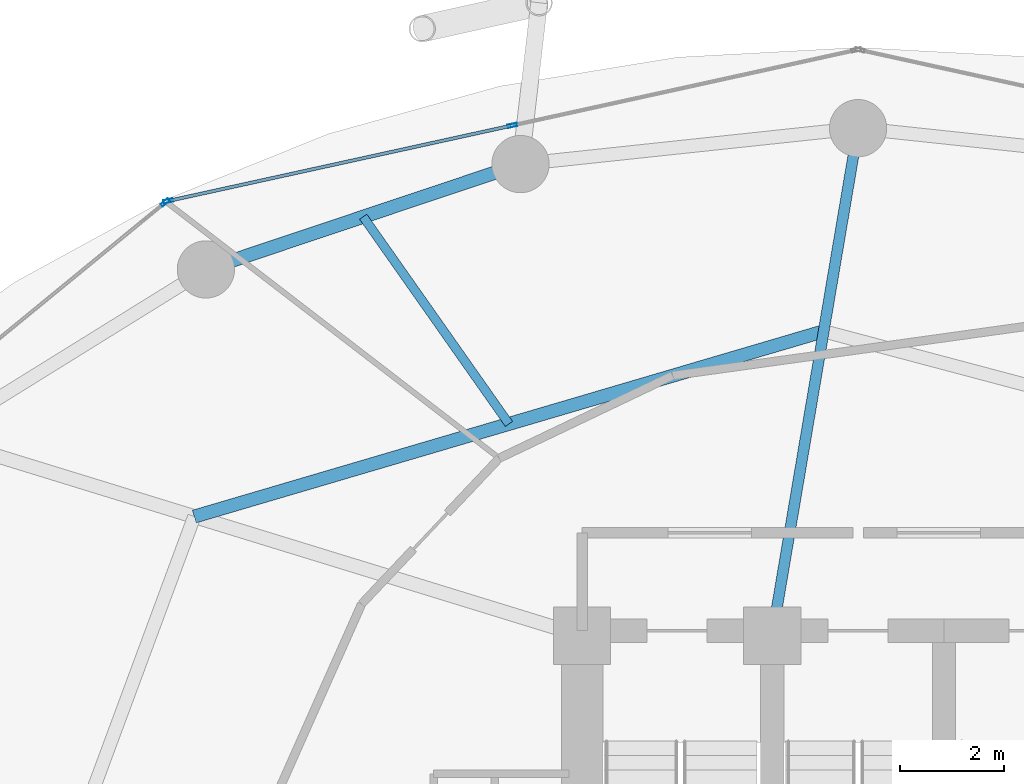
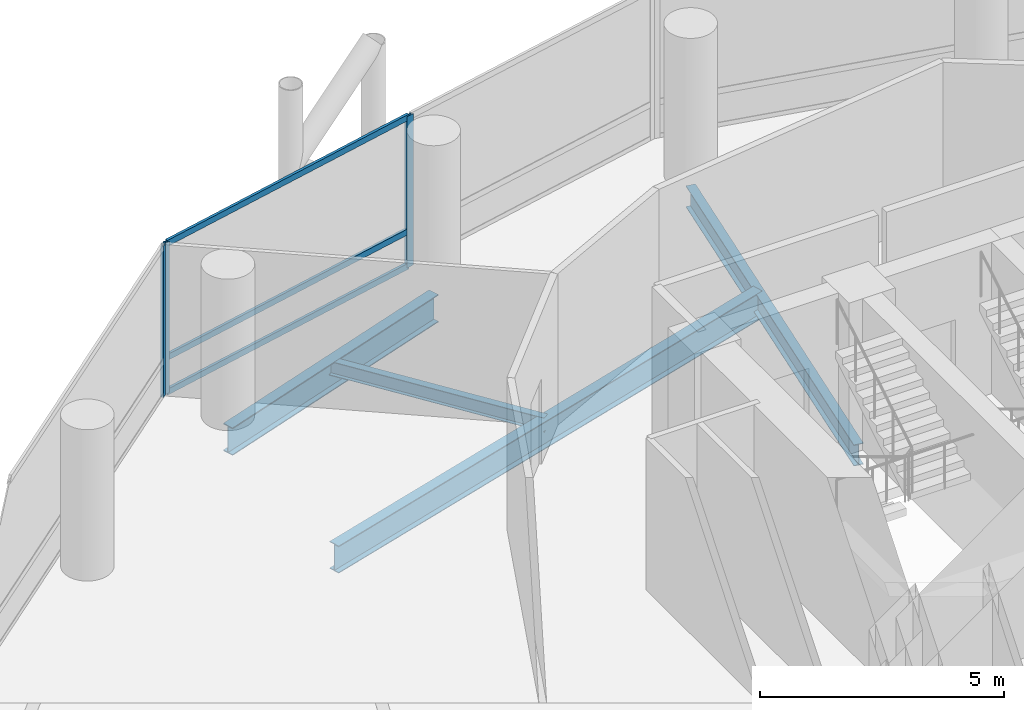
# One storey, part 15 of 24: 6 members, 4 beams, 2 elements without a shape of their own.
"""IFC4 building model written with IfcOpenShell, lengths in metres."""

from ifc_helpers import new_model, si_unit, direction, frame, origin, origin_2d, place, context, subcontext, project, spatial, hollow_rectangle, i_section, extrude, material, layer, layer_set, material_profile, profile_set, type_object, element, aggregate, save


model = new_model("IFC4")

# Units and contexts
model_context = context("Model", 3, precision=1e-05, world=origin(), true_north=direction((0.0, 1.0)))
body_context = subcontext(model_context, "Body", "Model", "MODEL_VIEW")
ifc_project = project(units=[si_unit("LENGTHUNIT", "METRE"), si_unit("AREAUNIT", "SQUARE_METRE"), si_unit("VOLUMEUNIT", "CUBIC_METRE"), si_unit("PLANEANGLEUNIT", "RADIAN"), si_unit("MASSUNIT", "GRAM", prefix="KILO")], contexts=[model_context])

# Site, building, storey
site_placement = place(None, origin())
site = spatial("IfcSite", under=ifc_project, at=site_placement, CompositionType="ELEMENT")
building_placement = place(site_placement, origin())
building = spatial("IfcBuilding", under=site, at=building_placement, Name="Nuhasar Tower", CompositionType="ELEMENT")
storey_placement = place(building_placement, frame((0.0, 0.0, 33.14990234375)))
storey = spatial("IfcBuildingStorey", under=building, at=storey_placement, Name="L07", CompositionType="ELEMENT", Elevation=33.14990234375)

# Beams
ifc_material_1 = material(Name="Steel S355", Category="steel")
ifc_material_profile_1 = material_profile(ifc_material_1, i_section(OverallWidth=0.25390625, OverallDepth=0.68408203125, WebThickness=0.012451171875, FlangeThickness=0.018798828125, at=origin_2d()), Name="W27X94")
ifc_profile_set_1 = profile_set([ifc_material_profile_1], Name="Steel S355")
beam_type_1 = type_object("IfcBeamType", Name="BM-INRING-W27X94", PredefinedType="BEAM", material=ifc_profile_set_1)
beam_1_placement = place(storey_placement, frame((38.340087890625, 43.14990234375, -0.601806640625), z_axis=(-0.959290190666, -0.28242225495, 0.0), x_axis=(0.28242225495, -0.959290190666, 0.0)))
element("IfcBeam", 1, at=beam_1_placement, inside=storey, type_object=beam_type_1, Name="L07 Inner Header Beam 06", PredefinedType="BEAM", context=body_context, shape_type="SweptSolid", body=[
    extrude(i_section(OverallWidth=0.25390625, OverallDepth=0.68408203125, WebThickness=0.012451171875, FlangeThickness=0.018798828125, at=origin_2d()), origin(), (0.0, 0.0, 1.0), 12.60107421875),
])
ifc_material_profile_2 = material_profile(ifc_material_1, i_section(OverallWidth=0.1708984375, OverallDepth=0.35205078125, WebThickness=0.0068359375, FlangeThickness=0.009765625, at=origin_2d()), Name="W14X30")
ifc_profile_set_2 = profile_set([ifc_material_profile_2], Name="Steel S355")
beam_type_2 = type_object("IfcBeamType", Name="BM-JST-W14X30", PredefinedType="JOIST", material=ifc_profile_set_2)
beam_2_placement = place(storey_placement, frame((32.2958984375, 41.3701171875, -0.435791015625), z_axis=(-0.575461088141, 0.817829160666, 0.0), x_axis=(-0.817829160666, -0.575461088141, 0.0)))
element("IfcBeam", 2, at=beam_2_placement, inside=storey, type_object=beam_type_2, Name="L07 Secondary Floor Joist 06", PredefinedType="JOIST", context=body_context, shape_type="SweptSolid", body=[
    extrude(i_section(OverallWidth=0.1708984375, OverallDepth=0.35205078125, WebThickness=0.0068359375, FlangeThickness=0.009765625, at=origin_2d()), origin(), (0.0, 0.0, 1.0), 4.865234375),
])
ifc_material_profile_3 = material_profile(ifc_material_1, i_section(OverallWidth=0.208984375, OverallDepth=0.532958984375, WebThickness=0.01025390625, FlangeThickness=0.015625, at=origin_2d()), Name="W21X62")
ifc_profile_set_3 = profile_set([ifc_material_profile_3], Name="Steel S355")
beam_type_3 = type_object("IfcBeamType", Name="BM-RAD-W21X62", PredefinedType="BEAM", material=ifc_profile_set_3)
beam_3_placement = place(storey_placement, frame((37.35009765625, 37.300048828125, -0.52685546875), z_axis=(0.166848703013, 0.98598251014, 0.0), x_axis=(-0.98598251014, 0.166848703013, 0.0)))
element("IfcBeam", 3, at=beam_3_placement, inside=storey, type_object=beam_type_3, Name="L07 Radial Floor Girder 06", PredefinedType="BEAM", context=body_context, shape_type="SweptSolid", body=[
    extrude(i_section(OverallWidth=0.208984375, OverallDepth=0.532958984375, WebThickness=0.01025390625, FlangeThickness=0.015625, at=origin_2d()), origin(), (0.0, 0.0, 1.0), 9.888671875),
])
ifc_material_profile_4 = material_profile(ifc_material_1, i_section(OverallWidth=0.256103515625, OverallDepth=0.693115234375, WebThickness=0.014404296875, FlangeThickness=0.023681640625, at=origin_2d()), Name="W27X114")
ifc_profile_set_4 = profile_set([ifc_material_profile_4], Name="Steel S355")
beam_type_4 = type_object("IfcBeamType", Name="BM-RING-W27X114", PredefinedType="SPANDREL", material=ifc_profile_set_4)
beam_4_placement = place(storey_placement, frame((32.51708984375, 46.360107421875, -0.60595703125), z_axis=(-0.948249435708, -0.317526388949, 0.0), x_axis=(0.317526388949, -0.948249435708, 0.0)))
element("IfcBeam", 4, at=beam_4_placement, inside=storey, type_object=beam_type_4, Name="L07 Perimeter Ring Spandrel 08", PredefinedType="SPANDREL", context=body_context, shape_type="SweptSolid", body=[
    extrude(i_section(OverallWidth=0.256103515625, OverallDepth=0.693115234375, WebThickness=0.014404296875, FlangeThickness=0.023681640625, at=origin_2d()), origin(), (0.0, 0.0, 1.0), 6.371826171875),
])

# Curtain wall, members
ifc_material_2 = material(Name="Aluminium 6063-T6", Category="aluminium")
ifc_layer = layer(ifc_material_2, 0.199951171875)
ifc_layer_set = layer_set([ifc_layer], Name="Aluminium 6063-T6")
curtain_wall_type = type_object("IfcCurtainWallType", Name="CW-Z1-OFF", PredefinedType="NOTDEFINED", material=ifc_layer_set)
curtain_wall_1_placement = place(storey_placement, origin())
curtain_wall_1 = element("IfcCurtainWall", 5, at=curtain_wall_1_placement, inside=storey, type_object=curtain_wall_type, Name="L07 Unitised Curtain Wall 04", PredefinedType="NOTDEFINED")
ifc_material_profile_5 = material_profile(ifc_material_2, hollow_rectangle(XDim=0.06494140625, YDim=0.179931640625, WallThickness=0.0048828125, at=origin_2d()), Name="CWM-2")
ifc_profile_set_5 = profile_set([ifc_material_profile_5], Name="Aluminium 6063-T6")
member_type_1 = type_object("IfcMemberType", Name="CW-MUL-S2", PredefinedType="MULLION", material=ifc_profile_set_5)
member_1_placement = place(storey_placement, frame((32.360107421875, 47.1025390625, 0.0), z_axis=(0.0, 0.0, 1.0), x_axis=(0.214398737637, -0.976746221544, 0.0)))
member_1 = element("IfcMember", 6, at=member_1_placement, type_object=member_type_1, Name="CW-Z1 mullion 2", PredefinedType="MULLION", context=body_context, shape_type="SweptSolid", body=[
    extrude(hollow_rectangle(XDim=0.06494140625, YDim=0.179931640625, WallThickness=0.0048828125, at=origin_2d()), origin(), (0.0, 0.0, 1.0), 3.7900390625),
])
member_2_placement = place(storey_placement, frame((25.751708984375, 45.65185546875, 0.0), z_axis=(0.0, 0.0, 1.0), x_axis=(0.214398737637, -0.976746221544, 0.0)))
member_2 = element("IfcMember", 7, at=member_2_placement, type_object=member_type_1, Name="CW-Z1 mullion 3", PredefinedType="MULLION", context=body_context, shape_type="SweptSolid", body=[
    extrude(hollow_rectangle(XDim=0.06494140625, YDim=0.179931640625, WallThickness=0.0048828125, at=origin_2d()), origin(), (0.0, 0.0, 1.0), 3.7900390625),
])

# Curtain wall, member
curtain_wall_2_placement = place(storey_placement, origin())
curtain_wall_2 = element("IfcCurtainWall", 8, at=curtain_wall_2_placement, inside=storey, type_object=curtain_wall_type, Name="L07 Unitised Curtain Wall 05", PredefinedType="NOTDEFINED")
member_3_placement = place(storey_placement, frame((25.69482421875, 45.62451171875, 0.0), z_axis=(0.0, 0.0, 1.0), x_axis=(0.633744593376, -0.773542364946, 0.0)))
member_3 = element("IfcMember", 9, at=member_3_placement, type_object=member_type_1, Name="CW-Z1 mullion 1", PredefinedType="MULLION", context=body_context, shape_type="SweptSolid", body=[
    extrude(hollow_rectangle(XDim=0.06494140625, YDim=0.179931640625, WallThickness=0.0048828125, at=origin_2d()), origin(), (0.0, 0.0, 1.0), 3.7900390625),
])
aggregate(curtain_wall_2, [member_3])

# Member
ifc_material_profile_6 = material_profile(ifc_material_2, hollow_rectangle(XDim=0.06494140625, YDim=0.14990234375, WallThickness=0.00439453125, at=origin_2d()), Name="CWT-2")
ifc_profile_set_6 = profile_set([ifc_material_profile_6], Name="Aluminium 6063-T6")
member_type_2 = type_object("IfcMemberType", Name="CW-TRN-S2", PredefinedType="USERDEFINED", material=ifc_profile_set_6)
member_4_placement = place(storey_placement, frame((32.328369140625, 47.095458984375, 0.03271484375), z_axis=(-0.976749553792, -0.214383556196, 0.0), x_axis=(0.214383556196, -0.976749553792, 0.0)))
member_4 = element("IfcMember", 10, at=member_4_placement, type_object=member_type_2, Name="CW-Z1 transom 2.1", ObjectType="TRANSOM", PredefinedType="USERDEFINED", context=body_context, shape_type="SweptSolid", body=[
    extrude(hollow_rectangle(XDim=0.06494140625, YDim=0.14990234375, WallThickness=0.00439453125, at=origin_2d()), origin(), (0.0, 0.0, 1.0), 6.70068359375),
])

member_5_placement = place(storey_placement, frame((32.328369140625, 47.095458984375, 0.900146484375), z_axis=(-0.976749553792, -0.214383556196, 0.0), x_axis=(0.214383556196, -0.976749553792, 0.0)))
member_5 = element("IfcMember", 11, at=member_5_placement, type_object=member_type_2, Name="CW-Z1 transom 2.2", ObjectType="TRANSOM", PredefinedType="USERDEFINED", context=body_context, shape_type="SweptSolid", body=[
    extrude(hollow_rectangle(XDim=0.06494140625, YDim=0.14990234375, WallThickness=0.00439453125, at=origin_2d()), origin(), (0.0, 0.0, 1.0), 6.70068359375),
])

member_6_placement = place(storey_placement, frame((32.328369140625, 47.095458984375, 3.757568359375), z_axis=(-0.976749553792, -0.214383556196, 0.0), x_axis=(0.214383556196, -0.976749553792, 0.0)))
member_6 = element("IfcMember", 12, at=member_6_placement, type_object=member_type_2, Name="CW-Z1 transom 2.3", ObjectType="TRANSOM", PredefinedType="USERDEFINED", context=body_context, shape_type="SweptSolid", body=[
    extrude(hollow_rectangle(XDim=0.06494140625, YDim=0.14990234375, WallThickness=0.00439453125, at=origin_2d()), origin(), (0.0, 0.0, 1.0), 6.70068359375),
])

aggregate(curtain_wall_1, [member_1, member_2, member_4, member_5, member_6])

save(model, "model.ifc")
